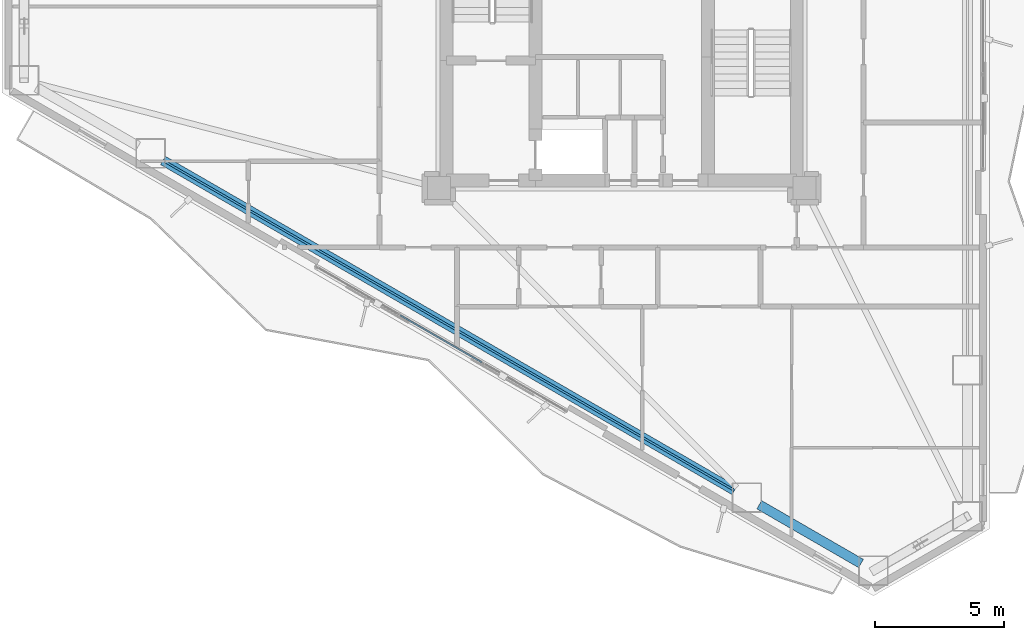
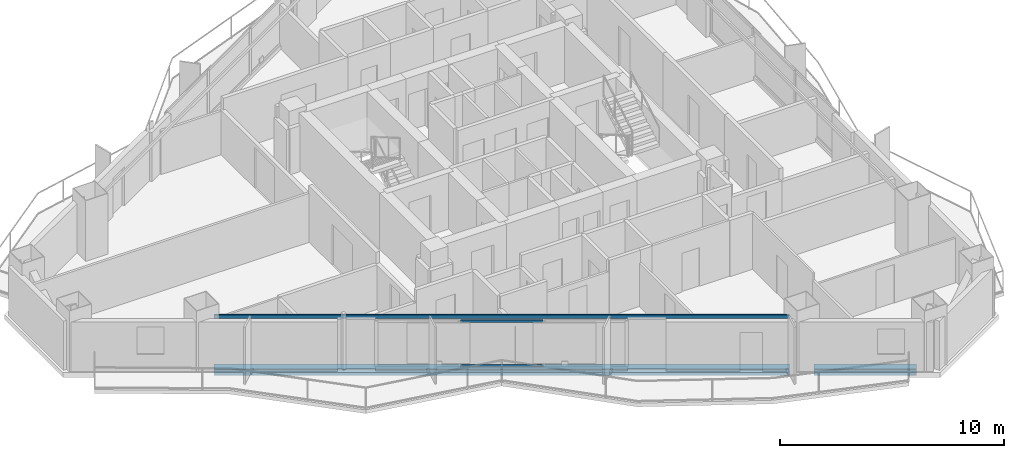
# One storey, part 3 of 22: 3 beams, 2 members, 1 element without a shape of its own.
"""IFC4 building model written with IfcOpenShell, lengths in metres."""

from ifc_helpers import new_model, si_unit, direction, frame, origin, origin_2d, place, context, subcontext, project, spatial, hollow_rectangle, i_section, extrude, material, layer, layer_set, material_profile, profile_set, type_object, element, aggregate, save


model = new_model("IFC4")

# Units and contexts
model_context = context("Model", 3, precision=1e-05, world=origin(), true_north=direction((0.0, 1.0)))
body_context = subcontext(model_context, "Body", "Model", "MODEL_VIEW")
ifc_project = project(units=[si_unit("LENGTHUNIT", "METRE"), si_unit("AREAUNIT", "SQUARE_METRE"), si_unit("VOLUMEUNIT", "CUBIC_METRE"), si_unit("PLANEANGLEUNIT", "RADIAN"), si_unit("MASSUNIT", "GRAM", prefix="KILO")], contexts=[model_context])

# Site, building, storey
site_placement = place(None, origin())
site = spatial("IfcSite", under=ifc_project, at=site_placement, CompositionType="ELEMENT")
building_placement = place(site_placement, origin())
building = spatial("IfcBuilding", under=site, at=building_placement, Name="Mersakhor Tower and Convention Hall", CompositionType="ELEMENT")
storey_placement = place(building_placement, frame((0.0, 0.0, 90.0)))
storey = spatial("IfcBuildingStorey", under=building, at=storey_placement, Name="L24", CompositionType="ELEMENT", Elevation=90.0)

# Beams
ifc_material_1 = material(Name="Steel S355", Category="steel")
ifc_material_profile_1 = material_profile(ifc_material_1, hollow_rectangle(XDim=0.080078125, YDim=0.179931640625, WallThickness=0.008056640625, at=origin_2d()), Name="RHS 180x80x8")
ifc_profile_set_1 = profile_set([ifc_material_profile_1], Name="Steel S355")
beam_type_1 = type_object("IfcBeamType", Name="BM-GRT-RHS180", PredefinedType="USERDEFINED", material=ifc_profile_set_1)
beam_1_placement = place(storey_placement, frame((33.38232421875, 8.706787109375, 2.47998046875), z_axis=(-0.866022538643, 0.500004962538, 0.0), x_axis=(-0.500004962538, -0.866022538643, 0.0)))
element("IfcBeam", 1, at=beam_1_placement, inside=storey, type_object=beam_type_1, Name="L24 Facade Support Girt GRT-F3", ObjectType="GIRT", PredefinedType="USERDEFINED", context=body_context, shape_type="SweptSolid", body=[
    extrude(hollow_rectangle(XDim=0.080078125, YDim=0.179931640625, WallThickness=0.008056640625, at=origin_2d()), origin(), (0.0, 0.0, 1.0), 25.633544921875),
])
ifc_material_2 = material(Name="Steel S355", Category="steel")
ifc_material_profile_2 = material_profile(ifc_material_2, i_section(OverallWidth=0.374755859375, OverallDepth=0.37451171875, WebThickness=0.0166015625, FlangeThickness=0.027099609375, at=origin_2d()), Name="UC 356x368x202")
ifc_profile_set_2 = profile_set([ifc_material_profile_2], Name="Steel S355")
beam_type_2 = type_object("IfcBeamType", Name="BM-SPD-UC356", PredefinedType="SPANDREL", material=ifc_profile_set_2)
beam_2_placement = place(storey_placement, frame((38.298095703125, 5.868896484375, -0.437255859375), z_axis=(-0.866046694585, 0.499963121439, 0.0), x_axis=(-0.499963121439, -0.866046694585, 0.0)))
element("IfcBeam", 2, at=beam_2_placement, inside=storey, type_object=beam_type_2, Name="L24 Perimeter Spandrel Beam SPB-09", PredefinedType="SPANDREL", context=body_context, shape_type="SweptSolid", body=[
    extrude(i_section(OverallWidth=0.374755859375, OverallDepth=0.37451171875, WebThickness=0.0166015625, FlangeThickness=0.027099609375, at=origin_2d()), origin(), (0.0, 0.0, 1.0), 4.566162109375),
])
beam_3_placement = place(storey_placement, frame((33.38232421875, 8.706787109375, -0.437255859375), z_axis=(-0.866022538643, 0.500004962538, 0.0), x_axis=(-0.500004962538, -0.866022538643, 0.0)))
element("IfcBeam", 3, at=beam_3_placement, inside=storey, type_object=beam_type_2, Name="L24 Perimeter Spandrel Beam SPB-10", PredefinedType="SPANDREL", context=body_context, shape_type="SweptSolid", body=[
    extrude(i_section(OverallWidth=0.374755859375, OverallDepth=0.37451171875, WebThickness=0.0166015625, FlangeThickness=0.027099609375, at=origin_2d()), origin(), (0.0, 0.0, 1.0), 25.633544921875),
])

# Curtain wall, members
ifc_material_3 = material(Name="Dark solar low-E aluminium curtain wall", Category="aluminium")
ifc_layer = layer(ifc_material_3, 0.159912109375)
ifc_layer_set = layer_set([ifc_layer], Name="Dark solar low-E aluminium curtain wall")
curtain_wall_type = type_object("IfcCurtainWallType", Name="CW-SYS-01", PredefinedType="USERDEFINED", material=ifc_layer_set)
curtain_wall_placement = place(storey_placement, origin())
curtain_wall = element("IfcCurtainWall", 4, at=curtain_wall_placement, inside=storey, type_object=curtain_wall_type, Name="L24 Dark-Glass Curtain Wall F3-B2", ObjectType="CURTAIN WALL", PredefinedType="USERDEFINED")
ifc_material_4 = material(Name="Anodised aluminium EN AW-6063 T6", Category="aluminium")
ifc_material_profile_3 = material_profile(ifc_material_4, hollow_rectangle(XDim=0.06005859375, YDim=0.1201171875, WallThickness=0.0048828125, at=origin_2d()), Name="RHS 120x60x5")
ifc_profile_set_3 = profile_set([ifc_material_profile_3], Name="Anodised aluminium EN AW-6063 T6")
member_type = type_object("IfcMemberType", Name="CWT-120x60", PredefinedType="USERDEFINED", material=ifc_profile_set_3)
member_1_placement = place(storey_placement, frame((23.571044921875, 13.6787109375, 0.22998046875), z_axis=(-0.866039286129, 0.499975954304, 0.0), x_axis=(-0.499975954304, -0.866039286129, 0.0)))
member_1 = element("IfcMember", 5, at=member_1_placement, type_object=member_type, Name="CW-01 transom 2.1", ObjectType="TRANSOM", PredefinedType="USERDEFINED", context=body_context, shape_type="SweptSolid", body=[
    extrude(hollow_rectangle(XDim=0.06005859375, YDim=0.1201171875, WallThickness=0.0048828125, at=origin_2d()), origin(), (0.0, 0.0, 1.0), 3.668212890625),
])
member_2_placement = place(storey_placement, frame((23.571044921875, 13.6787109375, 2.639892578125), z_axis=(-0.866039286129, 0.499975954304, 0.0), x_axis=(-0.499975954304, -0.866039286129, 0.0)))
member_2 = element("IfcMember", 6, at=member_2_placement, type_object=member_type, Name="CW-01 transom 2.2", ObjectType="TRANSOM", PredefinedType="USERDEFINED", context=body_context, shape_type="SweptSolid", body=[
    extrude(hollow_rectangle(XDim=0.06005859375, YDim=0.1201171875, WallThickness=0.0048828125, at=origin_2d()), origin(), (0.0, 0.0, 1.0), 3.668212890625),
])
aggregate(curtain_wall, [member_1, member_2])

save(model, "model.ifc")
